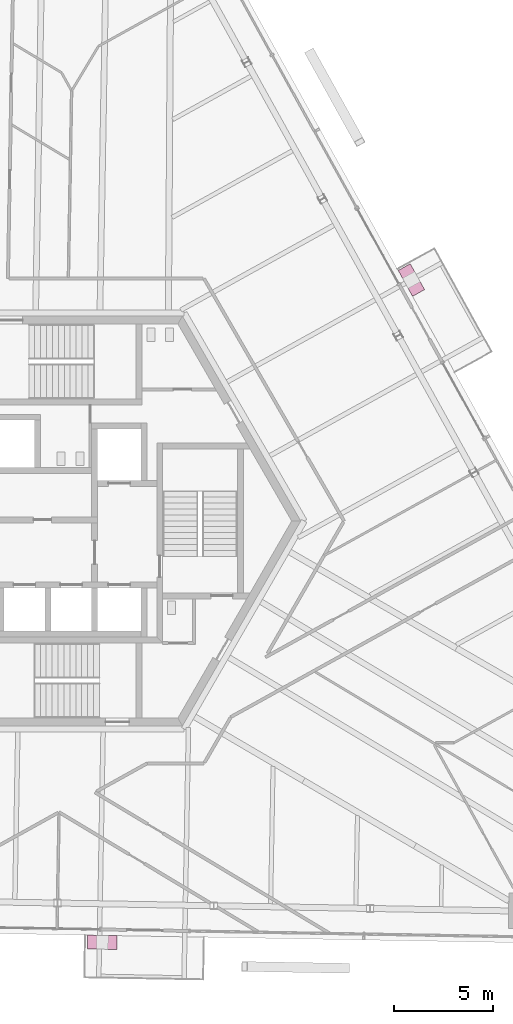
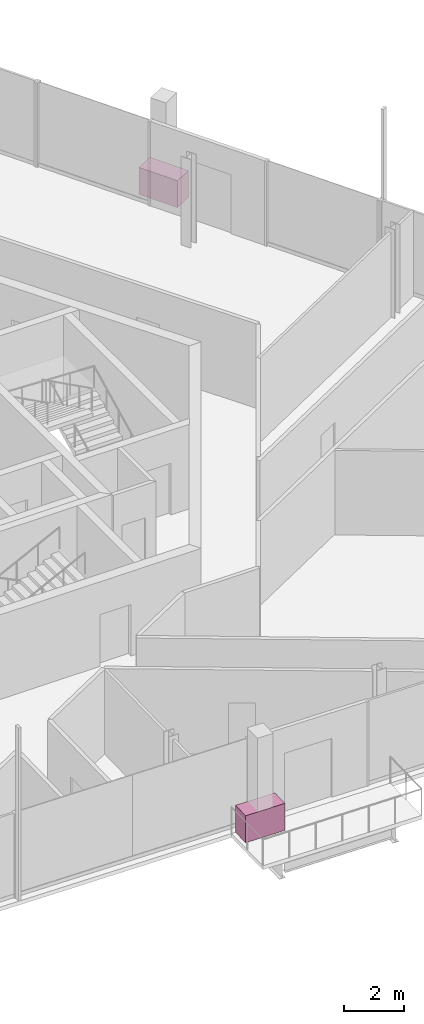
# One storey, part 20 of 21: 2 furniture elements.
"""IFC4 building model written with IfcOpenShell, lengths in metres."""

from ifc_helpers import new_model, si_unit, direction, frame, origin, origin_2d, place, context, subcontext, project, spatial, rectangle, extrude, source, transform, mapped, material, type_object, element, save


model = new_model("IFC4")

# Units and contexts
model_context = context("Model", 3, precision=1e-05, world=origin(), true_north=direction((0.0, 1.0)))
body_context = subcontext(model_context, "Body", "Model", "MODEL_VIEW")
ifc_project = project(units=[si_unit("LENGTHUNIT", "METRE"), si_unit("AREAUNIT", "SQUARE_METRE"), si_unit("VOLUMEUNIT", "CUBIC_METRE"), si_unit("PLANEANGLEUNIT", "RADIAN"), si_unit("MASSUNIT", "GRAM", prefix="KILO")], contexts=[model_context])

# Site, building, storey
site_placement = place(None, origin())
site = spatial("IfcSite", under=ifc_project, at=site_placement, CompositionType="ELEMENT")
building_placement = place(site_placement, origin())
building = spatial("IfcBuilding", under=site, at=building_placement, Name="Triune Harvest Tower", CompositionType="ELEMENT")
storey_placement = place(building_placement, frame((0.0, 0.0, 187.10009765625)))
storey = spatial("IfcBuildingStorey", under=building, at=storey_placement, Name="L48", CompositionType="ELEMENT", Elevation=187.10009765625)

# Furniture
ifc_material = material(Name="Concrete 40 MPa", Category="concrete")
furniture_type = type_object("IfcFurnitureType", Name="PB-1 structural planter", AssemblyPlace="SITE", PredefinedType="USERDEFINED", material=ifc_material)
shared_shape = source(origin(), body_context, "Body", "SweptSolid", [
    extrude(rectangle(XDim=1.5, YDim=0.699951171875, at=origin_2d()), origin(), (0.0, 0.0, 1.0), 1.10009765625),
])
for number, where, z_axis, x_axis, name in (
    (1, (17.610595703125, 12.219970703125, -0.000244140625), (0.0, 0.0, 1.0), (-0.48480848305, 0.874620337497, 0.0), "Planter B5-F1 L48.6b"),
    (2, (1.93798828125, -21.3642578125, -0.000244140625), (0.0, 0.0, 1.0), (0.999847708228, -0.017451657526, 0.0), "Planter B5-F5 L48.7a"),
):
    element("IfcFurniture", number, at=place(storey_placement, frame(where, z_axis=z_axis, x_axis=x_axis)), inside=storey, type_object=furniture_type, Name=name, ObjectType="PLANTER", PredefinedType="USERDEFINED", context=body_context, shape_type="MappedRepresentation", body=[
        mapped(shared_shape, transform((0.0, 0.0, 0.0), scale=1.0)),
    ])

save(model, "model.ifc")
